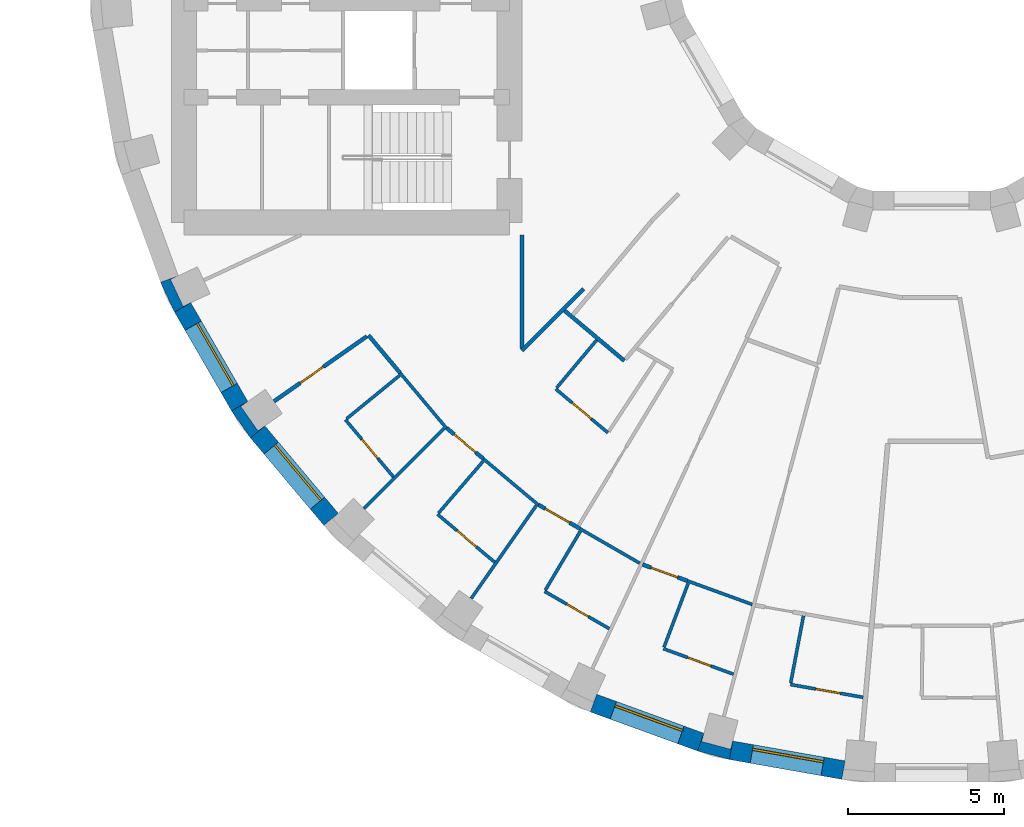
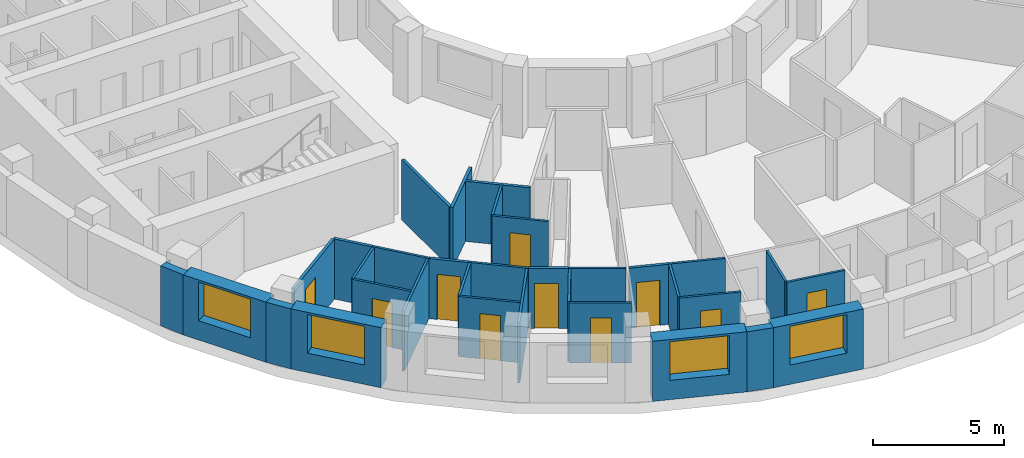
# One storey, part 4 of 14: 33 walls, 10 doors, 4 windows, 14 openings.
"""IFC4 building model written with IfcOpenShell, lengths in metres."""

from ifc_helpers import new_model, si_unit, direction, frame, frame_2d, origin, place, context, subcontext, project, spatial, polyline, rectangle, outline, extrude, material, layer, layer_set, type_object, element, fill, save


model = new_model("IFC4")

# Units and contexts
model_context = context("Model", 3, precision=1e-05, world=origin(), true_north=direction((0.0, 1.0)))
body_context = subcontext(model_context, "Body", "Model", "MODEL_VIEW")
ifc_project = project(units=[si_unit("LENGTHUNIT", "METRE"), si_unit("AREAUNIT", "SQUARE_METRE"), si_unit("VOLUMEUNIT", "CUBIC_METRE"), si_unit("PLANEANGLEUNIT", "RADIAN"), si_unit("MASSUNIT", "GRAM", prefix="KILO")], contexts=[model_context])

# Site, building, storey
site_placement = place(None, origin())
site = spatial("IfcSite", under=ifc_project, at=site_placement, CompositionType="ELEMENT")
building_placement = place(site_placement, origin())
building = spatial("IfcBuilding", under=site, at=building_placement, Name="Saqina Gate Tower", CompositionType="ELEMENT")
storey_placement = place(building_placement, frame((0.0, 0.0, 105.10009765625)))
storey = spatial("IfcBuildingStorey", under=building, at=storey_placement, Name="L29", CompositionType="ELEMENT", Elevation=105.10009765625)

# Walls
ifc_material_1 = material(Name="Brick masonry (buff)", Category="masonry")
wall_type_1 = type_object("IfcWallType", Name="BRICK PIER COPING BUFF", PredefinedType="SOLIDWALL", material=ifc_material_1)
wall_1_placement = place(storey_placement, origin())
element("IfcWall", 1, at=wall_1_placement, inside=storey, type_object=wall_type_1, Name="Pier cap L29 column 21", PredefinedType="SOLIDWALL", context=body_context, shape_type="SweptSolid", body=[
    extrude(outline(polyline([(-24.6513671875, -10.913330078125), (-24.205810546875, -11.869140625), (-23.68603515625, -11.569091796875), (-23.9296875, -11.6826171875), (-24.331298828125, -10.82177734375), (-24.08740234375, -10.7080078125), (-24.6513671875, -10.913330078125)])), origin(), (0.0, 0.0, 1.0), 2.7998046875),
])
wall_2_placement = place(storey_placement, origin())
element("IfcWall", 2, at=wall_2_placement, inside=storey, type_object=wall_type_1, Name="Pier cap L29 column 22", PredefinedType="SOLIDWALL", context=body_context, shape_type="SweptSolid", body=[
    extrude(outline(polyline([(-21.77685546875, -15.89208984375), (-21.317138671875, -15.50634765625), (-21.53759765625, -15.66064453125), (-22.08251953125, -14.88232421875), (-21.862060546875, -14.728271484375), (-22.3818359375, -15.0283203125), (-21.77685546875, -15.89208984375)])), origin(), (0.0, 0.0, 1.0), 2.7998046875),
])
wall_3_placement = place(storey_placement, origin())
element("IfcWall", 3, at=wall_3_placement, inside=storey, type_object=wall_type_1, Name="Pier cap L29 column 26", PredefinedType="SOLIDWALL", context=body_context, shape_type="SweptSolid", body=[
    extrude(outline(polyline([(-7.485595703125, -25.89892578125), (-6.466796875, -26.171875), (-6.36279296875, -25.5810546875), (-6.43212890625, -25.8408203125), (-7.349853515625, -25.5947265625), (-7.2802734375, -25.335205078125), (-7.485595703125, -25.89892578125)])), origin(), (0.0, 0.0, 1.0), 2.7998046875),
])

# Wall, opening, window
ifc_material_2 = material(Name="Brick masonry (buff)", Category="masonry")
ifc_layer_1 = layer(ifc_material_2, 0.60009765625)
ifc_layer_set_1 = layer_set([ifc_layer_1], Name="FW-BRICK-BUFF")
wall_type_2 = type_object("IfcWallType", Name="FW-BRICK-BUFF", PredefinedType="SOLIDWALL", material=ifc_layer_set_1)
wall_4_placement = place(storey_placement, frame((-23.94580078125, -11.718994140625, 0.0), z_axis=(0.0, 0.0, 1.0), x_axis=(0.499954196102, -0.866051847062, 0.0)))
wall_4 = element("IfcWall", 4, at=wall_4_placement, inside=storey, type_object=wall_type_2, Name="Facade wall L29 facet 21", PredefinedType="SOLIDWALL", context=body_context, shape_type="SweptSolid", body=[
    extrude(rectangle(XDim=3.647705078125, YDim=0.60009765625, at=frame_2d((1.82373046875, 0.0))), origin(), (0.0, 0.0, 1.0), 2.7998046875),
])
opening_1_placement = place(wall_4_placement, frame((0.673828125, 0.0, 0.89990234375)))
opening_1 = element("IfcOpeningElement", 5, at=opening_1_placement, cuts=wall_4, Name="Opening G08-W10", PredefinedType="OPENING", context=body_context, shape_type="SweptSolid", body=[
    extrude(rectangle(XDim=2.300048828125, YDim=1.800048828125, at=frame_2d((1.14990234375, 0.89990234375))), frame((0.0, 0.31201171875, 0.0), z_axis=(0.0, -1.0, 0.0), x_axis=(1.0, 0.0, 0.0)), (0.0, 0.0, 1.0), 0.6240234375),
])
ifc_material_3 = material(Name="Aluminium glazing", Category="aluminium")
window_type = type_object("IfcWindowType", Name="WN-B", PartitioningType="SINGLE_PANEL", PredefinedType="WINDOW", material=ifc_material_3)
window_1_placement = place(opening_1_placement, origin())
window_1 = element("IfcWindow", 6, at=window_1_placement, inside=storey, type_object=window_type, Name="Window L29 facet 21", OverallHeight=1.800048828125, OverallWidth=2.300048828125, PartitioningType="SINGLE_PANEL", PredefinedType="WINDOW", context=body_context, shape_type="SweptSolid", body=[
    extrude(rectangle(XDim=2.300048828125, YDim=1.800048828125, at=frame_2d((1.14990234375, 0.89990234375))), frame((0.0, 0.179931640625, 0.0), z_axis=(0.0, -1.0, 0.0), x_axis=(1.0, 0.0, 0.0)), (0.0, 0.0, 1.0), 0.06005859375),
])
fill(opening_1, window_1)

wall_5_placement = place(storey_placement, frame((-21.547119140625, -15.69921875, 0.0), z_axis=(0.0, 0.0, 1.0), x_axis=(0.642774476932, -0.766055462616, 0.0)))
wall_5 = element("IfcWall", 7, at=wall_5_placement, inside=storey, type_object=wall_type_2, Name="Facade wall L29 facet 22", PredefinedType="SOLIDWALL", context=body_context, shape_type="SweptSolid", body=[
    extrude(rectangle(XDim=3.647705078125, YDim=0.60009765625, at=frame_2d((1.82373046875, 0.0))), origin(), (0.0, 0.0, 1.0), 2.7998046875),
])
opening_2_placement = place(wall_5_placement, frame((0.673828125, 0.0, 0.89990234375)))
opening_2 = element("IfcOpeningElement", 8, at=opening_2_placement, cuts=wall_5, Name="Opening G08-W11", PredefinedType="OPENING", context=body_context, shape_type="SweptSolid", body=[
    extrude(rectangle(XDim=2.300048828125, YDim=1.800048828125, at=frame_2d((1.14990234375, 0.89990234375))), frame((0.0, 0.31201171875, 0.0), z_axis=(0.0, -1.0, 0.0), x_axis=(1.0, 0.0, 0.0)), (0.0, 0.0, 1.0), 0.6240234375),
])
window_2_placement = place(opening_2_placement, origin())
window_2 = element("IfcWindow", 9, at=window_2_placement, inside=storey, type_object=window_type, Name="Window L29 facet 22", OverallHeight=1.800048828125, OverallWidth=2.300048828125, PartitioningType="SINGLE_PANEL", PredefinedType="WINDOW", context=body_context, shape_type="SweptSolid", body=[
    extrude(rectangle(XDim=2.300048828125, YDim=1.800048828125, at=frame_2d((1.14990234375, 0.89990234375))), frame((0.0, 0.179931640625, 0.0), z_axis=(0.0, -1.0, 0.0), x_axis=(1.0, 0.0, 0.0)), (0.0, 0.0, 1.0), 0.06005859375),
])
fill(opening_2, window_2)

wall_6_placement = place(storey_placement, frame((-10.810791015625, -24.369384765625, 0.0), z_axis=(0.0, 0.0, 1.0), x_axis=(0.939703505393, -0.341990236633, 0.0)))
wall_6 = element("IfcWall", 10, at=wall_6_placement, inside=storey, type_object=wall_type_2, Name="Facade wall L29 facet 25", PredefinedType="SOLIDWALL", context=body_context, shape_type="SweptSolid", body=[
    extrude(rectangle(XDim=3.64794921875, YDim=0.60009765625, at=frame_2d((1.823974609375, 0.0))), origin(), (0.0, 0.0, 1.0), 2.7998046875),
])
opening_3_placement = place(wall_6_placement, frame((0.673828125, 0.0, 0.89990234375)))
opening_3 = element("IfcOpeningElement", 11, at=opening_3_placement, cuts=wall_6, Name="Opening G08-W14", PredefinedType="OPENING", context=body_context, shape_type="SweptSolid", body=[
    extrude(rectangle(XDim=2.300048828125, YDim=1.800048828125, at=frame_2d((1.14990234375, 0.89990234375))), frame((0.0, 0.31201171875, 0.0), z_axis=(0.0, -1.0, 0.0), x_axis=(1.0, 0.0, 0.0)), (0.0, 0.0, 1.0), 0.6240234375),
])
window_3_placement = place(opening_3_placement, origin())
window_3 = element("IfcWindow", 12, at=window_3_placement, inside=storey, type_object=window_type, Name="Window L29 facet 25", OverallHeight=1.800048828125, OverallWidth=2.300048828125, PartitioningType="SINGLE_PANEL", PredefinedType="WINDOW", context=body_context, shape_type="SweptSolid", body=[
    extrude(rectangle(XDim=2.300048828125, YDim=1.800048828125, at=frame_2d((1.14990234375, 0.89990234375))), frame((0.0, 0.179931640625, 0.0), z_axis=(0.0, -1.0, 0.0), x_axis=(1.0, 0.0, 0.0)), (0.0, 0.0, 1.0), 0.06005859375),
])
fill(opening_3, window_3)

wall_7_placement = place(storey_placement, frame((-6.414794921875, -25.87646484375, 0.0), z_axis=(0.0, 0.0, 1.0), x_axis=(0.984803764455, -0.173670796382, 0.0)))
wall_7 = element("IfcWall", 13, at=wall_7_placement, inside=storey, type_object=wall_type_2, Name="Facade wall L29 facet 26", PredefinedType="SOLIDWALL", context=body_context, shape_type="SweptSolid", body=[
    extrude(rectangle(XDim=3.64794921875, YDim=0.60009765625, at=frame_2d((1.823974609375, 0.0))), origin(), (0.0, 0.0, 1.0), 2.7998046875),
])
opening_4_placement = place(wall_7_placement, frame((0.673828125, 0.0, 0.89990234375)))
opening_4 = element("IfcOpeningElement", 14, at=opening_4_placement, cuts=wall_7, Name="Opening G08-W15", PredefinedType="OPENING", context=body_context, shape_type="SweptSolid", body=[
    extrude(rectangle(XDim=2.300048828125, YDim=1.800048828125, at=frame_2d((1.14990234375, 0.89990234375))), frame((0.0, 0.31201171875, 0.0), z_axis=(0.0, -1.0, 0.0), x_axis=(1.0, 0.0, 0.0)), (0.0, 0.0, 1.0), 0.6240234375),
])
window_4_placement = place(opening_4_placement, origin())
window_4 = element("IfcWindow", 15, at=window_4_placement, inside=storey, type_object=window_type, Name="Window L29 facet 26", OverallHeight=1.800048828125, OverallWidth=2.300048828125, PartitioningType="SINGLE_PANEL", PredefinedType="WINDOW", context=body_context, shape_type="SweptSolid", body=[
    extrude(rectangle(XDim=2.300048828125, YDim=1.800048828125, at=frame_2d((1.14990234375, 0.89990234375))), frame((0.0, 0.179931640625, 0.0), z_axis=(0.0, -1.0, 0.0), x_axis=(1.0, 0.0, 0.0)), (0.0, 0.0, 1.0), 0.06005859375),
])
fill(opening_4, window_4)

# Wall, opening, door
ifc_material_4 = material(Name="Gypsum board on steel studs, 100 mm", Category="steel")
ifc_layer_2 = layer(ifc_material_4, 0.10009765625)
ifc_layer_set_2 = layer_set([ifc_layer_2], Name="PARTITION 100")
wall_type_3 = type_object("IfcWallType", Name="PARTITION 100", PredefinedType="PARTITIONING", material=ifc_layer_set_2)
wall_8_placement = place(storey_placement, frame((-18.741943359375, -15.30908203125, 0.0), z_axis=(0.0, 0.0, 1.0), x_axis=(0.643057723818, -0.765817709274, 0.0)))
wall_8 = element("IfcWall", 16, at=wall_8_placement, inside=storey, type_object=wall_type_3, Name="PARTITION PW3-18", PredefinedType="PARTITIONING", context=body_context, shape_type="SweptSolid", body=[
    extrude(rectangle(XDim=2.386474609375, YDim=0.10009765625, at=frame_2d((1.193359375, 0.0))), origin(), (0.0, 0.0, 1.0), 2.7998046875),
])
opening_5_placement = place(wall_8_placement, frame((0.818359375, 0.0, 0.0)))
opening_5 = element("IfcOpeningElement", 17, at=opening_5_placement, cuts=wall_8, Name="Opening G08-D23", PredefinedType="OPENING", context=body_context, shape_type="SweptSolid", body=[
    extrude(rectangle(XDim=0.800048828125, YDim=2.10009765625, at=frame_2d((0.39990234375, 1.050048828125))), frame((0.0, 0.06201171875, 0.0), z_axis=(0.0, -1.0, 0.0), x_axis=(1.0, 0.0, 0.0)), (0.0, 0.0, 1.0), 0.1240234375),
])
ifc_material_5 = material(Name="Timber door leaf, 800 mm", Category="wood")
door_type_1 = type_object("IfcDoorType", Name="DOOR 800 TIMBER", OperationType="SINGLE_SWING_LEFT", PredefinedType="DOOR", material=ifc_material_5)
door_1_placement = place(opening_5_placement, frame((0.800048828125, 0.0, 0.0), z_axis=(0.0, 0.0, 1.0), x_axis=(-1.0, 0.0, 0.0)))
door_1 = element("IfcDoor", 18, at=door_1_placement, inside=storey, type_object=door_type_1, Name="DOOR G08-D23", OperationType="SINGLE_SWING_LEFT", OverallHeight=2.10009765625, OverallWidth=0.800048828125, PredefinedType="DOOR", context=body_context, shape_type="SweptSolid", body=[
    extrude(rectangle(XDim=0.800048828125, YDim=2.10009765625, at=frame_2d((0.39990234375, 1.050048828125))), frame((0.0, 0.02490234375, 0.0), z_axis=(0.0, -1.0, 0.0), x_axis=(1.0, 0.0, 0.0)), (0.0, 0.0, 1.0), 0.050048828125),
])
fill(opening_5, door_1)

# Wall
wall_9_placement = place(storey_placement, frame((-16.9921875, -13.815673828125, 0.0), z_axis=(0.0, 0.0, 1.0), x_axis=(0.64271045889, -0.766109173704, 0.0)))
element("IfcWall", 19, at=wall_9_placement, inside=storey, type_object=wall_type_3, Name="PARTITION PW3-19", PredefinedType="PARTITIONING", context=body_context, shape_type="SweptSolid", body=[
    extrude(rectangle(XDim=2.306884765625, YDim=0.10009765625, at=frame_2d((1.1533203125, 0.0))), origin(), (0.0, 0.0, 1.0), 2.7998046875),
])

# Wall, opening, door
wall_10_placement = place(storey_placement, frame((-15.798095703125, -18.3310546875, 0.0), z_axis=(0.0, 0.0, 1.0), x_axis=(0.766061519328, -0.642767258504, 0.0)))
wall_10 = element("IfcWall", 20, at=wall_10_placement, inside=storey, type_object=wall_type_3, Name="PARTITION PW3-23", PredefinedType="PARTITIONING", context=body_context, shape_type="SweptSolid", body=[
    extrude(rectangle(XDim=2.385986328125, YDim=0.10009765625, at=frame_2d((1.19287109375, 0.0))), origin(), (0.0, 0.0, 1.0), 2.7998046875),
])
opening_6_placement = place(wall_10_placement, frame((0.818115234375, 0.0, 0.0)))
opening_6 = element("IfcOpeningElement", 21, at=opening_6_placement, cuts=wall_10, Name="Opening G08-D25", PredefinedType="OPENING", context=body_context, shape_type="SweptSolid", body=[
    extrude(rectangle(XDim=0.800048828125, YDim=2.10009765625, at=frame_2d((0.39990234375, 1.050048828125))), frame((0.0, 0.06201171875, 0.0), z_axis=(0.0, -1.0, 0.0), x_axis=(1.0, 0.0, 0.0)), (0.0, 0.0, 1.0), 0.1240234375),
])
door_2_placement = place(opening_6_placement, frame((0.800048828125, 0.0, 0.0), z_axis=(0.0, 0.0, 1.0), x_axis=(-1.0, 0.0, 0.0)))
door_2 = element("IfcDoor", 22, at=door_2_placement, inside=storey, type_object=door_type_1, Name="DOOR G08-D25", OperationType="SINGLE_SWING_LEFT", OverallHeight=2.10009765625, OverallWidth=0.800048828125, PredefinedType="DOOR", context=body_context, shape_type="SweptSolid", body=[
    extrude(rectangle(XDim=0.800048828125, YDim=2.10009765625, at=frame_2d((0.39990234375, 1.050048828125))), frame((0.0, 0.02490234375, 0.0), z_axis=(0.0, -1.0, 0.0), x_axis=(1.0, 0.0, 0.0)), (0.0, 0.0, 1.0), 0.050048828125),
])
fill(opening_6, door_2)

# Wall
wall_11_placement = place(storey_placement, frame((-14.335205078125, -16.555908203125, 0.0), z_axis=(0.0, 0.0, 1.0), x_axis=(0.765890459519, -0.642971075568, 0.0)))
element("IfcWall", 23, at=wall_11_placement, inside=storey, type_object=wall_type_3, Name="PARTITION PW3-24", PredefinedType="PARTITIONING", context=body_context, shape_type="SweptSolid", body=[
    extrude(rectangle(XDim=2.305908203125, YDim=0.10009765625, at=frame_2d((1.15283203125, 0.0))), origin(), (0.0, 0.0, 1.0), 2.7998046875),
])

# Wall, opening, door
wall_12_placement = place(storey_placement, frame((-12.01806640625, -14.32666015625, 0.0), z_axis=(0.0, 0.0, 1.0), x_axis=(0.76605991383, -0.642769171961, 0.0)))
wall_12 = element("IfcWall", 24, at=wall_12_placement, inside=storey, type_object=wall_type_3, Name="PARTITION PW3-25", PredefinedType="PARTITIONING", context=body_context, shape_type="SweptSolid", body=[
    extrude(rectangle(XDim=2.18017578125, YDim=0.10009765625, at=frame_2d((1.090087890625, 0.0))), origin(), (0.0, 0.0, 1.0), 2.7998046875),
])
opening_7_placement = place(wall_12_placement, frame((0.689453125, 0.0, 0.0)))
opening_7 = element("IfcOpeningElement", 25, at=opening_7_placement, cuts=wall_12, Name="Opening G08-D26", PredefinedType="OPENING", context=body_context, shape_type="SweptSolid", body=[
    extrude(rectangle(XDim=0.800048828125, YDim=2.10009765625, at=frame_2d((0.39990234375, 1.050048828125))), frame((0.0, 0.06201171875, 0.0), z_axis=(0.0, -1.0, 0.0), x_axis=(1.0, 0.0, 0.0)), (0.0, 0.0, 1.0), 0.1240234375),
])
door_3_placement = place(opening_7_placement, frame((0.800048828125, 0.0, 0.0), z_axis=(0.0, 0.0, 1.0), x_axis=(-1.0, 0.0, 0.0)))
door_3 = element("IfcDoor", 26, at=door_3_placement, inside=storey, type_object=door_type_1, Name="DOOR G08-D26", OperationType="SINGLE_SWING_RIGHT", OverallHeight=2.10009765625, OverallWidth=0.800048828125, PredefinedType="DOOR", context=body_context, shape_type="SweptSolid", body=[
    extrude(rectangle(XDim=0.800048828125, YDim=2.10009765625, at=frame_2d((0.39990234375, 1.050048828125))), frame((0.0, 0.02490234375, 0.0), z_axis=(0.0, -1.0, 0.0), x_axis=(1.0, 0.0, 0.0)), (0.0, 0.0, 1.0), 0.050048828125),
])
fill(opening_7, door_3)

wall_13_placement = place(storey_placement, frame((-12.375, -20.7958984375, 0.0), z_axis=(0.0, 0.0, 1.0), x_axis=(0.866037365989, -0.499979280282, 0.0)))
wall_13 = element("IfcWall", 27, at=wall_13_placement, inside=storey, type_object=wall_type_3, Name="PARTITION PW3-28", PredefinedType="PARTITIONING", context=body_context, shape_type="SweptSolid", body=[
    extrude(rectangle(XDim=2.38623046875, YDim=0.10009765625, at=frame_2d((1.193115234375, 0.0))), origin(), (0.0, 0.0, 1.0), 2.7998046875),
])
opening_8_placement = place(wall_13_placement, frame((0.818115234375, 0.0, 0.0)))
opening_8 = element("IfcOpeningElement", 28, at=opening_8_placement, cuts=wall_13, Name="Opening G08-D30", PredefinedType="OPENING", context=body_context, shape_type="SweptSolid", body=[
    extrude(rectangle(XDim=0.800048828125, YDim=2.10009765625, at=frame_2d((0.39990234375, 1.050048828125))), frame((0.0, 0.06201171875, 0.0), z_axis=(0.0, -1.0, 0.0), x_axis=(1.0, 0.0, 0.0)), (0.0, 0.0, 1.0), 0.1240234375),
])
door_4_placement = place(opening_8_placement, frame((0.800048828125, 0.0, 0.0), z_axis=(0.0, 0.0, 1.0), x_axis=(-1.0, 0.0, 0.0)))
door_4 = element("IfcDoor", 29, at=door_4_placement, inside=storey, type_object=door_type_1, Name="DOOR G08-D30", OperationType="SINGLE_SWING_LEFT", OverallHeight=2.10009765625, OverallWidth=0.800048828125, PredefinedType="DOOR", context=body_context, shape_type="SweptSolid", body=[
    extrude(rectangle(XDim=0.800048828125, YDim=2.10009765625, at=frame_2d((0.39990234375, 1.050048828125))), frame((0.0, 0.02490234375, 0.0), z_axis=(0.0, -1.0, 0.0), x_axis=(1.0, 0.0, 0.0)), (0.0, 0.0, 1.0), 0.050048828125),
])
fill(opening_8, door_4)

# Wall
wall_14_placement = place(storey_placement, frame((-11.2421875, -18.7939453125, 0.0), z_axis=(0.0, 0.0, 1.0), x_axis=(0.866039875853, -0.499974932805, 0.0)))
element("IfcWall", 30, at=wall_14_placement, inside=storey, type_object=wall_type_3, Name="PARTITION PW3-29", PredefinedType="PARTITIONING", context=body_context, shape_type="SweptSolid", body=[
    extrude(rectangle(XDim=2.2041015625, YDim=0.10009765625, at=frame_2d((1.10205078125, 0.0))), origin(), (0.0, 0.0, 1.0), 2.7998046875),
])

# Wall, opening, door
wall_15_placement = place(storey_placement, frame((-8.575927734375, -22.62890625, 0.0), z_axis=(0.0, 0.0, 1.0), x_axis=(0.939703758344, -0.341989541586, 0.0)))
wall_15 = element("IfcWall", 31, at=wall_15_placement, inside=storey, type_object=wall_type_3, Name="PARTITION PW3-33", PredefinedType="PARTITIONING", context=body_context, shape_type="SweptSolid", body=[
    extrude(rectangle(XDim=2.3857421875, YDim=0.10009765625, at=frame_2d((1.19287109375, 0.0))), origin(), (0.0, 0.0, 1.0), 2.7998046875),
])
opening_9_placement = place(wall_15_placement, frame((0.81787109375, 0.0, 0.0)))
opening_9 = element("IfcOpeningElement", 32, at=opening_9_placement, cuts=wall_15, Name="Opening G08-D33", PredefinedType="OPENING", context=body_context, shape_type="SweptSolid", body=[
    extrude(rectangle(XDim=0.800048828125, YDim=2.10009765625, at=frame_2d((0.39990234375, 1.050048828125))), frame((0.0, 0.06201171875, 0.0), z_axis=(0.0, -1.0, 0.0), x_axis=(1.0, 0.0, 0.0)), (0.0, 0.0, 1.0), 0.1240234375),
])
door_5_placement = place(opening_9_placement, frame((0.800048828125, 0.0, 0.0), z_axis=(0.0, 0.0, 1.0), x_axis=(-1.0, 0.0, 0.0)))
door_5 = element("IfcDoor", 33, at=door_5_placement, inside=storey, type_object=door_type_1, Name="DOOR G08-D33", OperationType="SINGLE_SWING_LEFT", OverallHeight=2.10009765625, OverallWidth=0.800048828125, PredefinedType="DOOR", context=body_context, shape_type="SweptSolid", body=[
    extrude(rectangle(XDim=0.800048828125, YDim=2.10009765625, at=frame_2d((0.39990234375, 1.050048828125))), frame((0.0, 0.02490234375, 0.0), z_axis=(0.0, -1.0, 0.0), x_axis=(1.0, 0.0, 0.0)), (0.0, 0.0, 1.0), 0.050048828125),
])
fill(opening_9, door_5)

# Wall
wall_16_placement = place(storey_placement, frame((-7.80810546875, -20.4609375, 0.0), z_axis=(0.0, 0.0, 1.0), x_axis=(0.939728749343, -0.341920864613, 0.0)))
element("IfcWall", 34, at=wall_16_placement, inside=storey, type_object=wall_type_3, Name="PARTITION PW3-34", PredefinedType="PARTITIONING", context=body_context, shape_type="SweptSolid", body=[
    extrude(rectangle(XDim=2.204833984375, YDim=0.10009765625, at=frame_2d((1.1025390625, 0.0))), origin(), (0.0, 0.0, 1.0), 2.7998046875),
])

# Wall, opening, door
wall_17_placement = place(storey_placement, frame((-4.51611328125, -23.77392578125, 0.0), z_axis=(0.0, 0.0, 1.0), x_axis=(0.984810614942, -0.173631946077, 0.0)))
wall_17 = element("IfcWall", 35, at=wall_17_placement, inside=storey, type_object=wall_type_3, Name="PARTITION PW3-37", PredefinedType="PARTITIONING", context=body_context, shape_type="SweptSolid", body=[
    extrude(rectangle(XDim=2.36083984375, YDim=0.10009765625, at=frame_2d((1.180419921875, 0.0))), origin(), (0.0, 0.0, 1.0), 2.7998046875),
])
opening_10_placement = place(wall_17_placement, frame((0.818115234375, 0.0, 0.0)))
opening_10 = element("IfcOpeningElement", 36, at=opening_10_placement, cuts=wall_17, Name="Opening G08-D36", PredefinedType="OPENING", context=body_context, shape_type="SweptSolid", body=[
    extrude(rectangle(XDim=0.800048828125, YDim=2.10009765625, at=frame_2d((0.39990234375, 1.050048828125))), frame((0.0, 0.06201171875, 0.0), z_axis=(0.0, -1.0, 0.0), x_axis=(1.0, 0.0, 0.0)), (0.0, 0.0, 1.0), 0.1240234375),
])
door_6_placement = place(opening_10_placement, frame((0.800048828125, 0.0, 0.0), z_axis=(0.0, 0.0, 1.0), x_axis=(-1.0, 0.0, 0.0)))
door_6 = element("IfcDoor", 37, at=door_6_placement, inside=storey, type_object=door_type_1, Name="DOOR G08-D36", OperationType="SINGLE_SWING_LEFT", OverallHeight=2.10009765625, OverallWidth=0.800048828125, PredefinedType="DOOR", context=body_context, shape_type="SweptSolid", body=[
    extrude(rectangle(XDim=0.800048828125, YDim=2.10009765625, at=frame_2d((0.39990234375, 1.050048828125))), frame((0.0, 0.02490234375, 0.0), z_axis=(0.0, -1.0, 0.0), x_axis=(1.0, 0.0, 0.0)), (0.0, 0.0, 1.0), 0.050048828125),
])
fill(opening_10, door_6)

# Walls
wall_18_placement = place(storey_placement, frame((-18.703369140625, -15.27734375, 0.0), z_axis=(0.0, 0.0, 1.0), x_axis=(0.774603188675, 0.632447547307, 0.0)))
element("IfcWall", 38, at=wall_18_placement, inside=storey, type_object=wall_type_3, Name="PARTITION PW3-68", PredefinedType="PARTITIONING", context=body_context, shape_type="SweptSolid", body=[
    extrude(rectangle(XDim=2.18798828125, YDim=0.10009765625, at=frame_2d((1.093994140625, 0.0))), origin(), (0.0, 0.0, 1.0), 2.7998046875),
])
wall_19_placement = place(storey_placement, frame((-18.14794921875, -18.14794921875, 0.0), z_axis=(0.0, 0.0, 1.0), x_axis=(0.707106781187, 0.707106781187, 0.0)))
element("IfcWall", 39, at=wall_19_placement, inside=storey, type_object=wall_type_3, Name="PARTITION PW3-71", PredefinedType="PARTITIONING", context=body_context, shape_type="SweptSolid", body=[
    extrude(rectangle(XDim=3.62158203125, YDim=0.10009765625, at=frame_2d((1.810791015625, 0.0))), origin(), (0.0, 0.0, 1.0), 2.7998046875),
])
wall_20_placement = place(storey_placement, frame((-15.765380859375, -18.293212890625, 0.0), z_axis=(0.0, 0.0, 1.0), x_axis=(0.652471516294, 0.757813249043, 0.0)))
element("IfcWall", 40, at=wall_20_placement, inside=storey, type_object=wall_type_3, Name="PARTITION PW3-73", PredefinedType="PARTITIONING", context=body_context, shape_type="SweptSolid", body=[
    extrude(rectangle(XDim=2.187744140625, YDim=0.10009765625, at=frame_2d((1.09375, 0.0))), origin(), (0.0, 0.0, 1.0), 2.7998046875),
])
wall_21_placement = place(storey_placement, frame((-11.98779296875, -14.28662109375, 0.0), z_axis=(0.0, 0.0, 1.0), x_axis=(0.642742530466, 0.766082266816, 0.0)))
element("IfcWall", 41, at=wall_21_placement, inside=storey, type_object=wall_type_3, Name="PARTITION PW3-75", PredefinedType="PARTITIONING", context=body_context, shape_type="SweptSolid", body=[
    extrude(rectangle(XDim=1.9873046875, YDim=0.10009765625, at=frame_2d((0.99365234375, 0.0))), origin(), (0.0, 0.0, 1.0), 2.7998046875),
])
wall_22_placement = place(storey_placement, frame((-14.720703125, -21.023681640625, 0.0), z_axis=(0.0, 0.0, 1.0), x_axis=(0.573521163573, 0.819190743926, 0.0)))
element("IfcWall", 42, at=wall_22_placement, inside=storey, type_object=wall_type_3, Name="PARTITION PW3-77", PredefinedType="PARTITIONING", context=body_context, shape_type="SweptSolid", body=[
    extrude(rectangle(XDim=3.621337890625, YDim=0.10009765625, at=frame_2d((1.810546875, 0.0))), origin(), (0.0, 0.0, 1.0), 2.7998046875),
])
for number, where, z_axis, x_axis, name in (
    (43, (-12.349365234375, -20.7529296875, 0.0), (0.0, 0.0, 1.0), (0.511242513148, 0.859436497218, 0.0), "PARTITION PW3-81"),
    (44, (-8.558349609375, -22.582275390625, 0.0), (0.0, 0.0, 1.0), (0.35430099241, 0.935131438236, 0.0), "PARTITION PW3-86"),
    (45, (-4.506591796875, -23.724853515625, 0.0), (0.0, 0.0, 1.0), (0.186471082638, 0.982460449759, 0.0), "PARTITION PW3-90"),
):
    element("IfcWall", number, at=place(storey_placement, frame(where, z_axis=z_axis, x_axis=x_axis)), inside=storey, type_object=wall_type_3, Name=name, PredefinedType="PARTITIONING", context=body_context, shape_type="SweptSolid", body=[
        extrude(rectangle(XDim=2.187744140625, YDim=0.10009765625, at=frame_2d((1.09375, 0.0))), origin(), (0.0, 0.0, 1.0), 2.7998046875),
    ])
ifc_material_6 = material(Name="Gypsum board on steel studs, 125 mm, fire rated", Category="steel")
ifc_layer_3 = layer(ifc_material_6, 0.125)
ifc_layer_set_3 = layer_set([ifc_layer_3], Name="PARTITION EI 30 125")
wall_type_4 = type_object("IfcWallType", Name="PARTITION EI 30 125", PredefinedType="PARTITIONING", material=ifc_layer_set_3)
wall_23_placement = place(storey_placement, frame((-18.00439453125, -12.610107421875, 0.0), z_axis=(0.0, 0.0, 1.0), x_axis=(0.643017480444, -0.765851499863, 0.0)))
element("IfcWall", 46, at=wall_23_placement, inside=storey, type_object=wall_type_4, Name="PARTITION PW1-05", PredefinedType="PARTITIONING", context=body_context, shape_type="SweptSolid", body=[
    extrude(rectangle(XDim=1.57421875, YDim=0.125, at=frame_2d((0.787109375, 0.0))), origin(), (0.0, 0.0, 1.0), 2.7998046875),
])

# Wall, opening, door
wall_24_placement = place(storey_placement, frame((-15.503662109375, -15.575927734375, 0.0), z_axis=(0.0, 0.0, 1.0), x_axis=(0.766196628468, -0.642606198635, 0.0)))
wall_24 = element("IfcWall", 47, at=wall_24_placement, inside=storey, type_object=wall_type_4, Name="PARTITION PW1-12", PredefinedType="PARTITIONING", context=body_context, shape_type="SweptSolid", body=[
    extrude(rectangle(XDim=1.52490234375, YDim=0.125, at=frame_2d((0.762451171875, 0.0))), origin(), (0.0, 0.0, 1.0), 2.7998046875),
])
opening_11_placement = place(wall_24_placement, frame((0.3125, 0.0, 0.0)))
opening_11 = element("IfcOpeningElement", 48, at=opening_11_placement, cuts=wall_24, Name="Opening G08-D24", PredefinedType="OPENING", context=body_context, shape_type="SweptSolid", body=[
    extrude(rectangle(XDim=0.89990234375, YDim=2.10009765625, at=frame_2d((0.449951171875, 1.050048828125))), frame((0.0, 0.074462890625, 0.0), z_axis=(0.0, -1.0, 0.0), x_axis=(1.0, 0.0, 0.0)), (0.0, 0.0, 1.0), 0.14892578125),
])
ifc_material_7 = material(Name="Fire door leaf EI 30, 900 mm")
door_type_2 = type_object("IfcDoorType", Name="DOOR 900 EI 30", OperationType="SINGLE_SWING_LEFT", PredefinedType="DOOR", material=ifc_material_7)
door_7_placement = place(opening_11_placement, origin())
door_7 = element("IfcDoor", 49, at=door_7_placement, inside=storey, type_object=door_type_2, Name="DOOR G08-D24", OperationType="SINGLE_SWING_LEFT", OverallHeight=2.10009765625, OverallWidth=0.89990234375, PredefinedType="DOOR", context=body_context, shape_type="SweptSolid", body=[
    extrude(rectangle(XDim=0.89990234375, YDim=2.10009765625, at=frame_2d((0.449951171875, 1.050048828125))), frame((0.0, 0.02490234375, 0.0), z_axis=(0.0, -1.0, 0.0), x_axis=(1.0, 0.0, 0.0)), (0.0, 0.0, 1.0), 0.050048828125),
])
fill(opening_11, door_7)

# Wall
wall_25_placement = place(storey_placement, frame((-11.734619140625, -11.822998046875, 0.0), z_axis=(0.0, 0.0, 1.0), x_axis=(0.766013925241, -0.642823977724, 0.0)))
element("IfcWall", 50, at=wall_25_placement, inside=storey, type_object=wall_type_4, Name="PARTITION PW1-13", PredefinedType="PARTITIONING", context=body_context, shape_type="SweptSolid", body=[
    extrude(rectangle(XDim=2.4892578125, YDim=0.125, at=frame_2d((1.24462890625, 0.0))), origin(), (0.0, 0.0, 1.0), 2.7998046875),
])

# Wall, opening, door
wall_26_placement = place(storey_placement, frame((-12.564697265625, -18.031005859375, 0.0), z_axis=(0.0, 0.0, 1.0), x_axis=(0.866198896269, -0.499699381732, 0.0)))
wall_26 = element("IfcWall", 51, at=wall_26_placement, inside=storey, type_object=wall_type_4, Name="PARTITION PW1-15", PredefinedType="PARTITIONING", context=body_context, shape_type="SweptSolid", body=[
    extrude(rectangle(XDim=1.52685546875, YDim=0.125, at=frame_2d((0.763427734375, 0.0))), origin(), (0.0, 0.0, 1.0), 2.7998046875),
])
opening_12_placement = place(wall_26_placement, frame((0.243408203125, 0.0, 0.0)))
opening_12 = element("IfcOpeningElement", 52, at=opening_12_placement, cuts=wall_26, Name="Opening G08-D28", PredefinedType="OPENING", context=body_context, shape_type="SweptSolid", body=[
    extrude(rectangle(XDim=0.89990234375, YDim=2.10009765625, at=frame_2d((0.449951171875, 1.050048828125))), frame((0.0, 0.074462890625, 0.0), z_axis=(0.0, -1.0, 0.0), x_axis=(1.0, 0.0, 0.0)), (0.0, 0.0, 1.0), 0.14892578125),
])
door_8_placement = place(opening_12_placement, origin())
door_8 = element("IfcDoor", 53, at=door_8_placement, inside=storey, type_object=door_type_2, Name="DOOR G08-D28", OperationType="SINGLE_SWING_RIGHT", OverallHeight=2.10009765625, OverallWidth=0.89990234375, PredefinedType="DOOR", context=body_context, shape_type="SweptSolid", body=[
    extrude(rectangle(XDim=0.89990234375, YDim=2.10009765625, at=frame_2d((0.449951171875, 1.050048828125))), frame((0.0, 0.02490234375, 0.0), z_axis=(0.0, -1.0, 0.0), x_axis=(1.0, 0.0, 0.0)), (0.0, 0.0, 1.0), 0.050048828125),
])
fill(opening_12, door_8)

wall_27_placement = place(storey_placement, frame((-9.242919921875, -19.938232421875, 0.0), z_axis=(0.0, 0.0, 1.0), x_axis=(0.939611268692, -0.342243573711, 0.0)))
wall_27 = element("IfcWall", 54, at=wall_27_placement, inside=storey, type_object=wall_type_4, Name="PARTITION PW1-18", PredefinedType="PARTITIONING", context=body_context, shape_type="SweptSolid", body=[
    extrude(rectangle(XDim=1.52734375, YDim=0.125, at=frame_2d((0.763671875, 0.0))), origin(), (0.0, 0.0, 1.0), 2.7998046875),
])
opening_13_placement = place(wall_27_placement, frame((0.29443359375, 0.0, 0.0)))
opening_13 = element("IfcOpeningElement", 55, at=opening_13_placement, cuts=wall_27, Name="Opening G08-D32", PredefinedType="OPENING", context=body_context, shape_type="SweptSolid", body=[
    extrude(rectangle(XDim=0.89990234375, YDim=2.10009765625, at=frame_2d((0.449951171875, 1.050048828125))), frame((0.0, 0.074462890625, 0.0), z_axis=(0.0, -1.0, 0.0), x_axis=(1.0, 0.0, 0.0)), (0.0, 0.0, 1.0), 0.14892578125),
])
door_9_placement = place(opening_13_placement, origin())
door_9 = element("IfcDoor", 56, at=door_9_placement, inside=storey, type_object=door_type_2, Name="DOOR G08-D32", OperationType="SINGLE_SWING_LEFT", OverallHeight=2.10009765625, OverallWidth=0.89990234375, PredefinedType="DOOR", context=body_context, shape_type="SweptSolid", body=[
    extrude(rectangle(XDim=0.89990234375, YDim=2.10009765625, at=frame_2d((0.449951171875, 1.050048828125))), frame((0.0, 0.02490234375, 0.0), z_axis=(0.0, -1.0, 0.0), x_axis=(1.0, 0.0, 0.0)), (0.0, 0.0, 1.0), 0.050048828125),
])
fill(opening_13, door_9)

wall_28_placement = place(storey_placement, frame((-21.023681640625, -14.720703125, 0.0), z_axis=(0.0, 0.0, 1.0), x_axis=(0.819168566666, 0.573552839228, 0.0)))
wall_28 = element("IfcWall", 57, at=wall_28_placement, inside=storey, type_object=wall_type_4, Name="PARTITION PW1-42", PredefinedType="PARTITIONING", context=body_context, shape_type="SweptSolid", body=[
    extrude(rectangle(XDim=3.62109375, YDim=0.125, at=frame_2d((1.810546875, 0.0))), origin(), (0.0, 0.0, 1.0), 2.7998046875),
])
opening_14_placement = place(wall_28_placement, frame((1.024658203125, 0.0, 0.0)))
opening_14 = element("IfcOpeningElement", 58, at=opening_14_placement, cuts=wall_28, Name="Opening G08-D22", PredefinedType="OPENING", context=body_context, shape_type="SweptSolid", body=[
    extrude(rectangle(XDim=0.89990234375, YDim=2.10009765625, at=frame_2d((0.449951171875, 1.050048828125))), frame((0.0, 0.074462890625, 0.0), z_axis=(0.0, -1.0, 0.0), x_axis=(1.0, 0.0, 0.0)), (0.0, 0.0, 1.0), 0.14892578125),
])
door_10_placement = place(opening_14_placement, origin())
door_10 = element("IfcDoor", 59, at=door_10_placement, inside=storey, type_object=door_type_2, Name="DOOR G08-D22", OperationType="SINGLE_SWING_LEFT", OverallHeight=2.10009765625, OverallWidth=0.89990234375, PredefinedType="DOOR", context=body_context, shape_type="SweptSolid", body=[
    extrude(rectangle(XDim=0.89990234375, YDim=2.10009765625, at=frame_2d((0.449951171875, 1.050048828125))), frame((0.0, 0.02490234375, 0.0), z_axis=(0.0, -1.0, 0.0), x_axis=(1.0, 0.0, 0.0)), (0.0, 0.0, 1.0), 0.050048828125),
])
fill(opening_14, door_10)

# Walls
wall_29_placement = place(storey_placement, frame((-13.097412109375, -13.096435546875, 0.0), z_axis=(0.0, 0.0, 1.0), x_axis=(0.707369988597, 0.706843475766, 0.0)))
element("IfcWall", 60, at=wall_29_placement, inside=storey, type_object=wall_type_4, Name="PARTITION PW1-45", PredefinedType="PARTITIONING", context=body_context, shape_type="SweptSolid", body=[
    extrude(rectangle(XDim=2.7822265625, YDim=0.125, at=frame_2d((1.39111328125, 0.0))), origin(), (0.0, 0.0, 1.0), 2.7998046875),
])
wall_30_placement = place(storey_placement, frame((-13.10009765625, -13.032470703125, 0.0), z_axis=(0.0, 0.0, 1.0), x_axis=(0.0, 1.0, 0.0)))
element("IfcWall", 61, at=wall_30_placement, inside=storey, type_object=wall_type_4, Name="PARTITION PW1-59", PredefinedType="PARTITIONING", context=body_context, shape_type="SweptSolid", body=[
    extrude(rectangle(XDim=3.631591796875, YDim=0.125, at=frame_2d((1.81591796875, 0.0))), origin(), (0.0, 0.0, 1.0), 2.7998046875),
])

save(model, "model.ifc")
